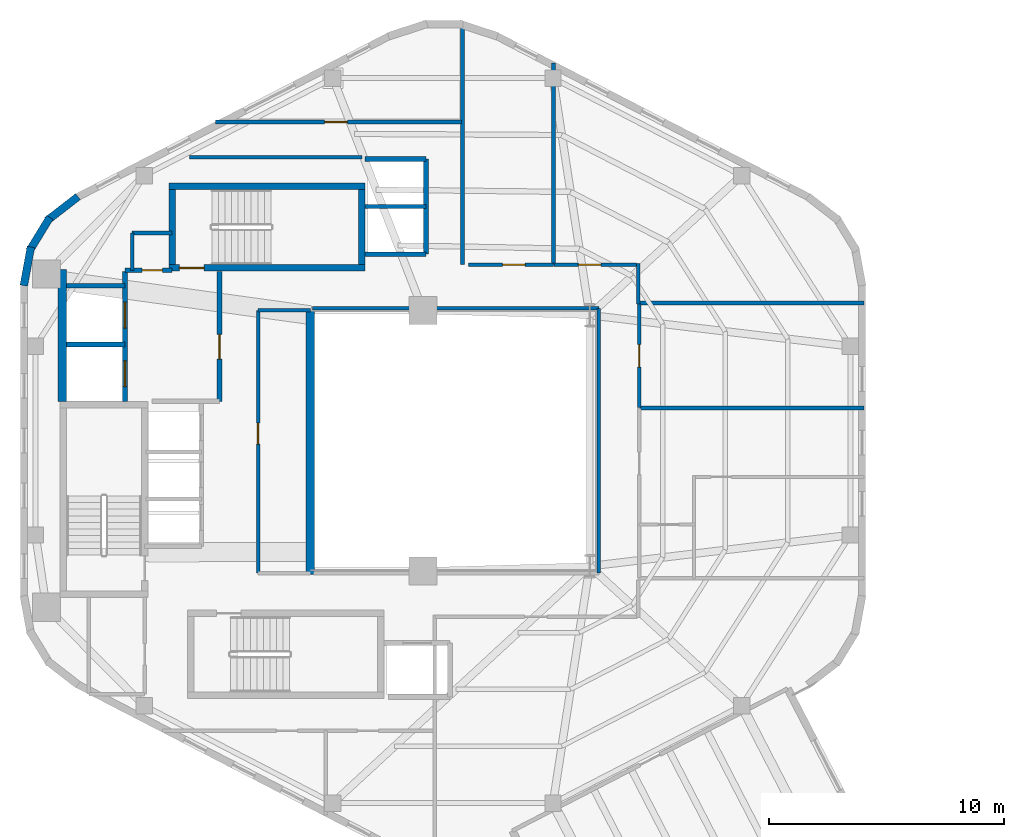
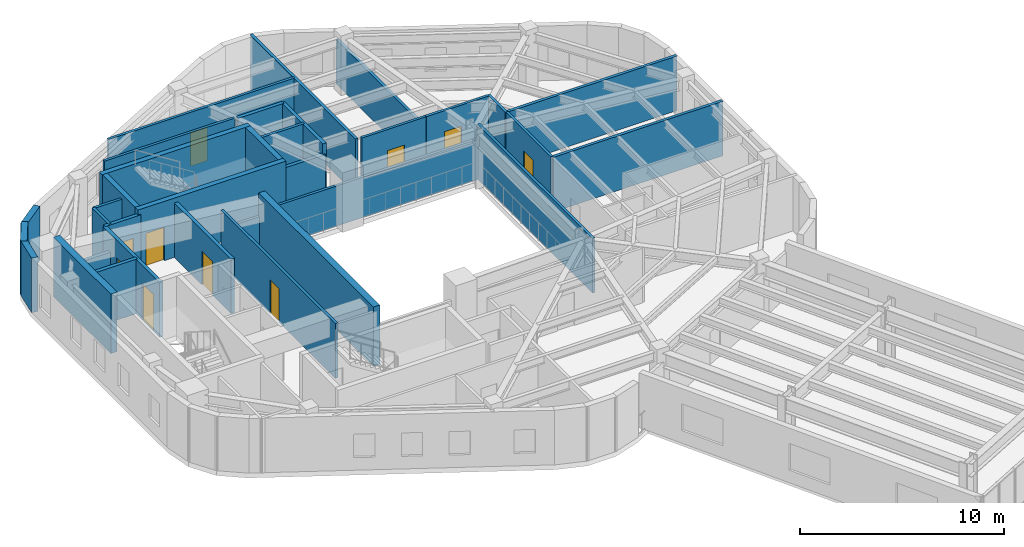
# One storey, part 8 of 10: 34 walls, 10 doors, 10 openings.
"""IFC4 building model written with IfcOpenShell, lengths in metres."""

import ifcopenshell
import ifcopenshell.guid

model = None  # the IFC model being written
_history = None  # IfcOwnerHistory: only IFC2X3 demands one
_inside = {}  # id of a spatial element -> (the spatial element, [elements in it])
_under = {}  # id of a project, library or spatial element -> (it, [spatial elements below it])
_declared = {}  # id of a project -> (the project, [libraries it declares])
_typed = {}  # id of a type object -> (the type object, [elements of that type])
_made_of = {}  # id of a material, layer set ... -> (it, [elements and type objects made of it])


def new_model(schema):
    """Start an empty IFC model of exactly this schema.

    Asked for "IFC4X3", IfcOpenShell would pick the latest addendum, in which some entities
    have other attributes; the version numbers below select the first issue.
    IFC2X3 requires an IfcOwnerHistory on every rooted entity: one is made here for all.
    """
    global model, _history
    if schema == "IFC4X3":
        model = ifcopenshell.file(schema_version=(4, 3, 0, 0))
    else:
        model = ifcopenshell.file(schema=schema)
    _inside.clear()
    _under.clear()
    _declared.clear()
    _typed.clear()
    _made_of.clear()
    _history = None
    if model.schema == "IFC2X3":
        org = make("IfcOrganization", Name="unknown")
        user = make(
            "IfcPersonAndOrganization",
            ThePerson=make("IfcPerson", FamilyName="unknown"),
            TheOrganization=org,
        )
        app = make(
            "IfcApplication",
            ApplicationDeveloper=org,
            Version="unknown",
            ApplicationFullName="unknown",
            ApplicationIdentifier="unknown",
        )
        _history = make(
            "IfcOwnerHistory",
            OwningUser=user,
            OwningApplication=app,
            ChangeAction="ADDED",
            CreationDate=0,
        )
    return model


def make(cls, **values):
    """One entity of the class cls with the attributes given. An attribute that is None is left unset."""
    return model.create_entity(
        cls, **{name: value for name, value in values.items() if value is not None}
    )


def rooted(cls, **values):
    """An entity with a GlobalId (a new one), such as an element, a storey or a relation."""
    return make(cls, GlobalId=ifcopenshell.guid.new(), OwnerHistory=_history, **values)


def si_unit(unit_type, name, prefix=None):
    """IfcSIUnit, for example si_unit("LENGTHUNIT", "METRE", prefix="MILLI")."""
    return make("IfcSIUnit", UnitType=unit_type, Prefix=prefix, Name=name)


def assignment(units):
    """IfcUnitAssignment: the units of a project."""
    return None if units is None else make("IfcUnitAssignment", Units=units)


def point(xyz):
    """IfcCartesianPoint."""
    return None if xyz is None else make("IfcCartesianPoint", Coordinates=xyz)


def direction(xyz):
    """IfcDirection."""
    return None if xyz is None else make("IfcDirection", DirectionRatios=xyz)


def frame(location, z_axis=None, x_axis=None):
    """IfcAxis2Placement3D, a coordinate frame: its origin and axes. An axis left out is left unset."""
    return make(
        "IfcAxis2Placement3D",
        Location=point(location),
        Axis=direction(z_axis),
        RefDirection=direction(x_axis),
    )


def frame_2d(location, x_axis=None):
    """IfcAxis2Placement2D, a coordinate frame in the plane: its origin and x axis."""
    return make(
        "IfcAxis2Placement2D", Location=point(location), RefDirection=direction(x_axis)
    )


def origin():
    """The frame at (0, 0, 0) with its axes left unset."""
    return frame((0.0, 0.0, 0.0))


def place(relative_to, where):
    """IfcLocalPlacement: puts the frame where relative to a parent placement (None: the world)."""
    return make(
        "IfcLocalPlacement", PlacementRelTo=relative_to, RelativePlacement=where
    )


def context(
    kind, dimensions, precision=None, world=None, true_north=None, identifier=None
):
    """IfcGeometricRepresentationContext, for example the 3D "Model" context."""
    return make(
        "IfcGeometricRepresentationContext",
        ContextIdentifier=identifier,
        ContextType=kind,
        CoordinateSpaceDimension=dimensions,
        Precision=precision,
        WorldCoordinateSystem=world,
        TrueNorth=true_north,
    )


def subcontext(parent, identifier, kind, view, scale=None):
    """IfcGeometricRepresentationSubContext, for example "Body" below "Model"."""
    return make(
        "IfcGeometricRepresentationSubContext",
        ContextIdentifier=identifier,
        ContextType=kind,
        ParentContext=parent,
        TargetScale=scale,
        TargetView=view,
    )


def project(units=None, contexts=None):
    """IfcProject with its units and contexts."""
    return rooted(
        "IfcProject",
        Name="project",
        RepresentationContexts=contexts,
        UnitsInContext=assignment(units),
    )


def spatial(cls, under=None, at=None, **own):
    """A site, building, storey or space (cls), placed at a placement, below another one or the project."""
    s = rooted(cls, ObjectPlacement=at, **own)
    if under is not None:
        _under.setdefault(under.id(), (under, []))[1].append(s)
    return s


def profile(cls, at=None, kind="AREA", **sizes):
    """A parametric profile (cls). Its sizes go by their IFC names, for example OverallWidth=200.0."""
    return make(cls, ProfileType=kind, Position=at, **sizes)


def rectangle(**sizes):
    """IfcRectangleProfileDef."""
    return profile("IfcRectangleProfileDef", **sizes)


def extrude(swept, where, along, depth):
    """IfcExtrudedAreaSolid: the profile swept, set in the frame where, extruded along a direction by depth."""
    return make(
        "IfcExtrudedAreaSolid",
        SweptArea=swept,
        Position=where,
        ExtrudedDirection=direction(along),
        Depth=depth,
    )


def shape(context_of_items, identifier, shape_type, items):
    """IfcShapeRepresentation: the items that make up one representation, for example the "Body"."""
    return make(
        "IfcShapeRepresentation",
        ContextOfItems=context_of_items,
        RepresentationIdentifier=identifier,
        RepresentationType=shape_type,
        Items=items,
    )


def material(Name=None, Category=None):
    """IfcMaterial."""
    return make("IfcMaterial", Name=Name, Category=Category)


def layer(
    of_material, thickness, ventilated=None, Name=None, Category=None, Priority=None
):
    """IfcMaterialLayer: one layer of a wall or slab, of a material (None: an air gap)."""
    return make(
        "IfcMaterialLayer",
        Material=of_material,
        LayerThickness=thickness,
        IsVentilated=ventilated,
        Name=Name,
        Category=Category,
        Priority=Priority,
    )


def layer_set(layers, Name=None):
    """IfcMaterialLayerSet."""
    return make("IfcMaterialLayerSet", MaterialLayers=layers, LayerSetName=Name)


def made_of(thing, what):
    """Note that an element or type object is made of a material, layer set ...; save() writes the relation."""
    if what is not None:
        _made_of.setdefault(what.id(), (what, []))[1].append(thing)
    return thing


def type_object(cls, material=None, **own):
    """A type object (cls), such as IfcWallType, which elements share."""
    return made_of(rooted(cls, **own), material)


def element(
    cls,
    number,
    at=None,
    inside=None,
    cuts=None,
    type_object=None,
    material=None,
    context=None,
    identifier="Body",
    shape_type=None,
    held_by="IfcProductDefinitionShape",
    body=None,
    shapes=None,
    **own,
):
    """One element of the class cls, such as IfcWall. Its Tag is "e" and its number.

    at: its placement. inside: the storey or other place that contains it. cuts: it is an
    opening in that element (IfcRelVoidsElement). A single representation is given by context,
    identifier, shape_type and body (its items); several are given by shapes. held_by: the class
    of the entity that holds the representations. save() writes the other relations.
    """
    e = rooted(cls, Tag="e%d" % number, ObjectPlacement=at, **own)
    if body is not None:
        shapes = [shape(context, identifier, shape_type, body)]
    if shapes is not None:
        e.Representation = make(held_by, Representations=shapes)
    if inside is not None:
        _inside.setdefault(inside.id(), (inside, []))[1].append(e)
    if cuts is not None:
        rooted(
            "IfcRelVoidsElement", RelatingBuildingElement=cuts, RelatedOpeningElement=e
        )
    if type_object is not None:
        _typed.setdefault(type_object.id(), (type_object, []))[1].append(e)
    return made_of(e, material)


def fill(opening, filler):
    """IfcRelFillsElement: the door or window that sits in an opening."""
    return rooted(
        "IfcRelFillsElement",
        RelatingOpeningElement=opening,
        RelatedBuildingElement=filler,
    )


def aggregate(whole, parts):
    """IfcRelAggregates: a whole, such as a stair, and the parts it consists of."""
    return rooted("IfcRelAggregates", RelatingObject=whole, RelatedObjects=parts)


def save(model, path):
    """Write the relations noted so far, then the file.

    IfcRelAggregates (storeys below a building ...), IfcRelContainedInSpatialStructure (elements
    in a storey), IfcRelDefinesByType, IfcRelAssociatesMaterial and IfcRelDeclares: one each for
    every whole, place, type object, material and project.
    """
    for whole, parts in _under.values():
        aggregate(whole, parts)
    for where, things in _inside.values():
        rooted(
            "IfcRelContainedInSpatialStructure",
            RelatedElements=things,
            RelatingStructure=where,
        )
    for kind, things in _typed.values():
        rooted("IfcRelDefinesByType", RelatedObjects=things, RelatingType=kind)
    for what, things in _made_of.values():
        rooted("IfcRelAssociatesMaterial", RelatedObjects=things, RelatingMaterial=what)
    for by, libraries in _declared.values():
        rooted("IfcRelDeclares", RelatingContext=by, RelatedDefinitions=libraries)
    model.write(path)


model = new_model("IFC4")

# Units and contexts
model_context = context("Model", 3, precision=1e-05, world=origin(), true_north=direction((0.0, 1.0)))
body_context = subcontext(model_context, "Body", "Model", "MODEL_VIEW")
ifc_project = project(units=[si_unit("LENGTHUNIT", "METRE"), si_unit("AREAUNIT", "SQUARE_METRE"), si_unit("VOLUMEUNIT", "CUBIC_METRE"), si_unit("PLANEANGLEUNIT", "RADIAN"), si_unit("MASSUNIT", "GRAM", prefix="KILO"), si_unit("THERMODYNAMICTEMPERATUREUNIT", "KELVIN"), si_unit("POWERUNIT", "WATT")], contexts=[model_context])

# Site, building, storey
site_placement = place(None, origin())
site = spatial("IfcSite", under=ifc_project, at=site_placement, CompositionType="ELEMENT")
building_placement = place(site_placement, origin())
building = spatial("IfcBuilding", under=site, at=building_placement, Name="Skarre Station Tower", CompositionType="ELEMENT")
storey_placement = place(building_placement, frame((0.0, 0.0, 234.800048828125)))
storey = spatial("IfcBuildingStorey", under=building, at=storey_placement, Name="L64", CompositionType="ELEMENT", Elevation=234.800048828125)

# Wall, opening, door
ifc_material_1 = material(Name="Acoustic Steel-Stud Gypsum Partition", Category="steel")
ifc_layer_1 = layer(ifc_material_1, 0.14990234375, Name="Acoustic Steel-Stud Gypsum Partition")
ifc_layer_set_1 = layer_set([ifc_layer_1], Name="Acoustic Steel-Stud Gypsum Partition")
wall_type_1 = type_object("IfcWallType", Name="Fire-Rated Corridor Acoustic Partition 150", PredefinedType="PARTITIONING", material=ifc_layer_set_1)
wall_1_placement = place(storey_placement, frame((25.320068359375, 29.550048828125, 0.0), z_axis=(0.0, 0.0, 1.0), x_axis=(0.0, -1.0, 0.0)))
wall_1 = element("IfcWall", 1, at=wall_1_placement, inside=storey, type_object=wall_type_1, Name="L64 Interior Partition WL-PT-L64-RC2-W1", PredefinedType="PARTITIONING", context=body_context, shape_type="SweptSolid", body=[
    extrude(rectangle(XDim=11.18994140625, YDim=0.14990234375, at=frame_2d((5.594970703125, 0.0))), origin(), (0.0, 0.0, 1.0), 3.260009765625),
])
opening_1_placement = place(wall_1_placement, frame((4.800048828125, 0.0, 0.0)))
opening_1 = element("IfcOpeningElement", 2, at=opening_1_placement, cuts=wall_1, Name="Opening DR-SVC90", PredefinedType="OPENING", context=body_context, shape_type="SweptSolid", body=[
    extrude(rectangle(XDim=0.89990234375, YDim=2.0, at=frame_2d((0.449951171875, 1.0))), frame((0.0, 0.0849609375, 0.0), z_axis=(0.0, -1.0, 0.0), x_axis=(1.0, 0.0, 0.0)), (0.0, 0.0, 1.0), 0.169921875),
])
ifc_material_2 = material(Name="Powder-Coated Hollow-Metal Acoustic Fire Leaf", Category="steel")
door_type_1 = type_object("IfcDoorType", Name="Service & Riser Fire Door FD60 900x2100", OperationType="SINGLE_SWING_LEFT", PredefinedType="DOOR", material=ifc_material_2)
door_1_placement = place(opening_1_placement, origin())
door_1 = element("IfcDoor", 3, at=door_1_placement, inside=storey, type_object=door_type_1, Name="L64 Wine Pantry Door", OperationType="SINGLE_SWING_LEFT", OverallHeight=2.0, OverallWidth=0.89990234375, PredefinedType="DOOR", context=body_context, shape_type="SweptSolid", body=[
    extrude(rectangle(XDim=0.89990234375, YDim=2.0, at=frame_2d((0.449951171875, 1.0))), frame((0.0, 0.02490234375, 0.0), z_axis=(0.0, -1.0, 0.0), x_axis=(1.0, 0.0, 0.0)), (0.0, 0.0, 1.0), 0.050048828125),
])
fill(opening_1, door_1)

# Walls
wall_2_placement = place(storey_placement, frame((27.550048828125, 29.550048828125, 0.0), z_axis=(0.0, 0.0, 1.0), x_axis=(-1.0, 0.0, 0.0)))
element("IfcWall", 4, at=wall_2_placement, inside=storey, type_object=wall_type_1, Name="L64 Interior Partition WL-PT-L64-RC2-N", PredefinedType="PARTITIONING", context=body_context, shape_type="SweptSolid", body=[
    extrude(rectangle(XDim=2.22998046875, YDim=0.14990234375, at=frame_2d((1.114990234375, 0.0))), origin(), (0.0, 0.0, 1.0), 2.159912109375),
])
wall_3_placement = place(storey_placement, frame((19.949951171875, 32.85009765625, 0.0), z_axis=(0.0, 0.0, 1.0), x_axis=(0.0, -1.0, 0.0)))
element("IfcWall", 5, at=wall_3_placement, inside=storey, type_object=wall_type_1, Name="L64 Interior Partition WL-PT-L64-CNW-W", PredefinedType="PARTITIONING", context=body_context, shape_type="SweptSolid", body=[
    extrude(rectangle(XDim=1.590087890625, YDim=0.14990234375, at=frame_2d((0.794921875, 0.0))), origin(), (0.0, 0.0, 1.0), 3.260009765625),
])
wall_4_placement = place(storey_placement, frame((21.659912109375, 32.85009765625, 0.0), z_axis=(0.0, 0.0, 1.0), x_axis=(-1.0, 0.0, 0.0)))
element("IfcWall", 6, at=wall_4_placement, inside=storey, type_object=wall_type_1, Name="L64 Interior Partition WL-PT-L64-CNW-N1", PredefinedType="PARTITIONING", context=body_context, shape_type="SweptSolid", body=[
    extrude(rectangle(XDim=1.7099609375, YDim=0.14990234375, at=frame_2d((0.85498046875, 0.0))), origin(), (0.0, 0.0, 1.0), 3.260009765625),
])
wall_5_placement = place(storey_placement, frame((39.840087890625, 29.639892578125, 0.0), z_axis=(0.0, 0.0, 1.0), x_axis=(-1.0, 0.0, 0.0)))
element("IfcWall", 7, at=wall_5_placement, inside=storey, type_object=wall_type_1, Name="L64 Interior Partition WL-PT-L64-ATRW-N", PredefinedType="PARTITIONING", context=body_context, shape_type="SweptSolid", body=[
    extrude(rectangle(XDim=12.203125, YDim=0.14990234375, at=frame_2d((6.1015625, 0.0))), origin(), (0.0, 0.0, 1.0), 2.40087890625),
])
wall_6_placement = place(storey_placement, frame((39.840087890625, 18.360107421875, 0.0), z_axis=(0.0, 0.0, 1.0), x_axis=(0.0, 1.0, 0.0)))
element("IfcWall", 8, at=wall_6_placement, inside=storey, type_object=wall_type_1, Name="L64 Interior Partition WL-PT-L64-ATRW-E", PredefinedType="PARTITIONING", context=body_context, shape_type="SweptSolid", body=[
    extrude(rectangle(XDim=11.27978515625, YDim=0.14990234375, at=frame_2d((5.639892578125, 0.0))), origin(), (0.0, 0.0, 1.0), 3.260009765625),
])

# Wall, opening, door
wall_7_placement = place(storey_placement, frame((34.0, 37.580078125, 0.0), z_axis=(0.0, 0.0, 1.0), x_axis=(-1.0, 0.0, 0.0)))
wall_7 = element("IfcWall", 9, at=wall_7_placement, inside=storey, type_object=wall_type_1, Name="L64 Interior Partition WL-PT-L64-NWW1-CW", PredefinedType="PARTITIONING", context=body_context, shape_type="SweptSolid", body=[
    extrude(rectangle(XDim=10.5009765625, YDim=0.14990234375, at=frame_2d((5.25048828125, 0.0))), origin(), (0.0, 0.0, 1.0), 3.260009765625),
])
opening_2_placement = place(wall_7_placement, frame((4.87890625, 0.0, 0.0)))
opening_2 = element("IfcOpeningElement", 10, at=opening_2_placement, cuts=wall_7, Name="Opening DR-FD60", PredefinedType="OPENING", context=body_context, shape_type="SweptSolid", body=[
    extrude(rectangle(XDim=0.9599609375, YDim=2.0, at=frame_2d((0.47998046875, 1.0))), frame((0.0, 0.0849609375, 0.0), z_axis=(0.0, -1.0, 0.0), x_axis=(1.0, 0.0, 0.0)), (0.0, 0.0, 1.0), 0.169921875),
])
ifc_material_3 = material(Name="Nordic White-Oak Veneer Solid-Core Fire Leaf", Category="wood")
door_type_2 = type_object("IfcDoorType", Name="Corridor Suite Entry Fire Door FD60 960x2150", OperationType="SINGLE_SWING_LEFT", PredefinedType="DOOR", material=ifc_material_3)
door_2_placement = place(opening_2_placement, origin())
door_2 = element("IfcDoor", 11, at=door_2_placement, inside=storey, type_object=door_type_2, Name="L64 NWW1 Entry Door", OperationType="SINGLE_SWING_LEFT", OverallHeight=2.0, OverallWidth=0.9599609375, PredefinedType="DOOR", context=body_context, shape_type="SweptSolid", body=[
    extrude(rectangle(XDim=0.9599609375, YDim=2.0, at=frame_2d((0.47998046875, 1.0))), frame((0.0, 0.02490234375, 0.0), z_axis=(0.0, -1.0, 0.0), x_axis=(1.0, 0.0, 0.0)), (0.0, 0.0, 1.0), 0.050048828125),
])
fill(opening_2, door_2)

# Wall
wall_8_placement = place(storey_placement, frame((41.52001953125, 29.820068359375, 0.0), z_axis=(0.0, 0.0, 1.0), x_axis=(0.0, 1.0, 0.0)))
element("IfcWall", 12, at=wall_8_placement, inside=storey, type_object=wall_type_1, Name="L64 Interior Partition WL-PT-L64-CORR-NER", PredefinedType="PARTITIONING", context=body_context, shape_type="SweptSolid", body=[
    extrude(rectangle(XDim=1.719970703125, YDim=0.14990234375, at=frame_2d((0.85986328125, 0.0))), origin(), (0.0, 0.0, 1.0), 3.260009765625),
])

# Wall, opening, door
wall_9_placement = place(storey_placement, frame((37.912109375, 31.5, 0.0), z_axis=(0.0, 0.0, 1.0), x_axis=(-1.0, 0.0, 0.0)))
wall_9 = element("IfcWall", 13, at=wall_9_placement, inside=storey, type_object=wall_type_1, Name="L64 Interior Partition WL-PT-L64-NW1-CW", PredefinedType="PARTITIONING", context=body_context, shape_type="SweptSolid", body=[
    extrude(rectangle(XDim=3.6220703125, YDim=0.14990234375, at=frame_2d((1.81103515625, 0.0))), origin(), (0.0, 0.0, 1.0), 3.260009765625),
])
opening_3_placement = place(wall_9_placement, frame((1.2119140625, 0.0, 0.0)))
opening_3 = element("IfcOpeningElement", 14, at=opening_3_placement, cuts=wall_9, Name="Opening DR-FD60", PredefinedType="OPENING", context=body_context, shape_type="SweptSolid", body=[
    extrude(rectangle(XDim=0.9599609375, YDim=2.0, at=frame_2d((0.47998046875, 1.0))), frame((0.0, 0.0849609375, 0.0), z_axis=(0.0, -1.0, 0.0), x_axis=(1.0, 0.0, 0.0)), (0.0, 0.0, 1.0), 0.169921875),
])
door_3_placement = place(opening_3_placement, origin())
door_3 = element("IfcDoor", 15, at=door_3_placement, inside=storey, type_object=door_type_2, Name="L64 NW1 Entry Door", OperationType="SINGLE_SWING_LEFT", OverallHeight=2.0, OverallWidth=0.9599609375, PredefinedType="DOOR", context=body_context, shape_type="SweptSolid", body=[
    extrude(rectangle(XDim=0.9599609375, YDim=2.0, at=frame_2d((0.47998046875, 1.0))), frame((0.0, 0.02490234375, 0.0), z_axis=(0.0, -1.0, 0.0), x_axis=(1.0, 0.0, 0.0)), (0.0, 0.0, 1.0), 0.050048828125),
])
fill(opening_3, door_3)

wall_10_placement = place(storey_placement, frame((41.449951171875, 31.5, 0.0), z_axis=(0.0, 0.0, 1.0), x_axis=(-1.0, 0.0, 0.0)))
wall_10 = element("IfcWall", 16, at=wall_10_placement, inside=storey, type_object=wall_type_1, Name="L64 Interior Partition WL-PT-L64-NW2-CW", PredefinedType="PARTITIONING", context=body_context, shape_type="SweptSolid", body=[
    extrude(rectangle(XDim=3.52783203125, YDim=0.14990234375, at=frame_2d((1.763916015625, 0.0))), origin(), (0.0, 0.0, 1.0), 3.260009765625),
])
opening_4_placement = place(wall_10_placement, frame((1.52392578125, 0.0, 0.0)))
opening_4 = element("IfcOpeningElement", 17, at=opening_4_placement, cuts=wall_10, Name="Opening DR-FD60", PredefinedType="OPENING", context=body_context, shape_type="SweptSolid", body=[
    extrude(rectangle(XDim=0.9599609375, YDim=2.0, at=frame_2d((0.47998046875, 1.0))), frame((0.0, 0.0849609375, 0.0), z_axis=(0.0, -1.0, 0.0), x_axis=(1.0, 0.0, 0.0)), (0.0, 0.0, 1.0), 0.169921875),
])
door_4_placement = place(opening_4_placement, origin())
door_4 = element("IfcDoor", 18, at=door_4_placement, inside=storey, type_object=door_type_2, Name="L64 NW2 Entry Door", OperationType="SINGLE_SWING_LEFT", OverallHeight=2.0, OverallWidth=0.9599609375, PredefinedType="DOOR", context=body_context, shape_type="SweptSolid", body=[
    extrude(rectangle(XDim=0.9599609375, YDim=2.0, at=frame_2d((0.47998046875, 1.0))), frame((0.0, 0.02490234375, 0.0), z_axis=(0.0, -1.0, 0.0), x_axis=(1.0, 0.0, 0.0)), (0.0, 0.0, 1.0), 0.050048828125),
])
fill(opening_4, door_4)

wall_11_placement = place(storey_placement, frame((41.56005859375, 25.4150390625, 0.0), z_axis=(0.0, 0.0, 1.0), x_axis=(0.0, 1.0, 0.0)))
wall_11 = element("IfcWall", 19, at=wall_11_placement, inside=storey, type_object=wall_type_1, Name="L64 Interior Partition WL-PT-L64-EW2-CW", PredefinedType="PARTITIONING", context=body_context, shape_type="SweptSolid", body=[
    extrude(rectangle(XDim=4.405029296875, YDim=0.14990234375, at=frame_2d((2.20263671875, 0.0))), origin(), (0.0, 0.0, 1.0), 3.260009765625),
])
opening_5_placement = place(wall_11_placement, frame((1.722900390625, 0.0, 0.0)))
opening_5 = element("IfcOpeningElement", 20, at=opening_5_placement, cuts=wall_11, Name="Opening DR-FD60", PredefinedType="OPENING", context=body_context, shape_type="SweptSolid", body=[
    extrude(rectangle(XDim=0.9599609375, YDim=2.0, at=frame_2d((0.47998046875, 1.0))), frame((0.0, 0.0849609375, 0.0), z_axis=(0.0, -1.0, 0.0), x_axis=(1.0, 0.0, 0.0)), (0.0, 0.0, 1.0), 0.169921875),
])
door_5_placement = place(opening_5_placement, origin())
door_5 = element("IfcDoor", 21, at=door_5_placement, inside=storey, type_object=door_type_2, Name="L64 EW2 Entry Door", OperationType="SINGLE_SWING_LEFT", OverallHeight=2.0, OverallWidth=0.9599609375, PredefinedType="DOOR", context=body_context, shape_type="SweptSolid", body=[
    extrude(rectangle(XDim=0.9599609375, YDim=2.0, at=frame_2d((0.47998046875, 1.0))), frame((0.0, 0.02490234375, 0.0), z_axis=(0.0, -1.0, 0.0), x_axis=(1.0, 0.0, 0.0)), (0.0, 0.0, 1.0), 0.050048828125),
])
fill(opening_5, door_5)

# Walls
wall_12_placement = place(storey_placement, frame((29.7529296875, 36.080078125, 0.0), z_axis=(0.0, 0.0, 1.0), x_axis=(-1.0, 0.0, 0.0)))
element("IfcWall", 22, at=wall_12_placement, inside=storey, type_object=wall_type_1, Name="L64 Interior Partition WL-PT-L64-CSEAL-1", PredefinedType="PARTITIONING", context=body_context, shape_type="SweptSolid", body=[
    extrude(rectangle(XDim=7.35302734375, YDim=0.14990234375, at=frame_2d((3.676513671875, 0.0))), origin(), (0.0, 0.0, 1.0), 3.260009765625),
])
ifc_material_4 = material(Name="Precast concrete C45/55", Category="concrete")
ifc_layer_2 = layer(ifc_material_4, 0.330078125, Name="Precast concrete C45/55")
ifc_layer_set_2 = layer_set([ifc_layer_2], Name="Precast concrete C45/55")
wall_type_2 = type_object("IfcWallType", Name="Nordic Rounded Corner Precast Wall 330", PredefinedType="STANDARD", material=ifc_layer_set_2)
wall_13_placement = place(storey_placement, frame((15.337890625, 30.60791015625, 0.0), z_axis=(0.0, 0.0, 1.0), x_axis=(0.180832605401, 0.983513888475, 0.0)))
element("IfcWall", 23, at=wall_13_placement, inside=storey, type_object=wall_type_2, Name="L64 Rounded Corner Precast Wall F2-1", PredefinedType="STANDARD", context=body_context, shape_type="SweptSolid", body=[
    extrude(rectangle(XDim=1.6767578125, YDim=0.330078125, at=frame_2d((0.83837890625, 0.0))), origin(), (0.0, 0.0, 1.0), 3.260009765625),
])
wall_14_placement = place(storey_placement, frame((15.573974609375, 32.08203125, 0.0), z_axis=(0.0, 0.0, 1.0), x_axis=(0.520325409202, 0.853968072318, 0.0)))
element("IfcWall", 24, at=wall_14_placement, inside=storey, type_object=wall_type_2, Name="L64 Rounded Corner Precast Wall F2-2", PredefinedType="STANDARD", context=body_context, shape_type="SweptSolid", body=[
    extrude(rectangle(XDim=1.677978515625, YDim=0.330078125, at=frame_2d((0.8388671875, 0.0))), origin(), (0.0, 0.0, 1.0), 3.260009765625),
])
wall_15_placement = place(storey_placement, frame((16.322021484375, 33.375, 0.0), z_axis=(0.0, 0.0, 1.0), x_axis=(0.790691856293, 0.61221433207, 0.0)))
element("IfcWall", 25, at=wall_15_placement, inside=storey, type_object=wall_type_2, Name="L64 Rounded Corner Precast Wall F2-3", PredefinedType="STANDARD", context=body_context, shape_type="SweptSolid", body=[
    extrude(rectangle(XDim=1.67578125, YDim=0.330078125, at=frame_2d((0.837890625, 0.0))), origin(), (0.0, 0.0, 1.0), 3.260009765625),
])

# Wall, opening, door
ifc_material_5 = material(Name="Concrete C50/60", Category="concrete")
ifc_layer_3 = layer(ifc_material_5, 0.280029296875, Name="Concrete C50/60")
ifc_layer_set_3 = layer_set([ifc_layer_3], Name="Concrete C50/60")
wall_type_3 = type_object("IfcWallType", Name="RC Core Shear Wall 280", PredefinedType="SHEAR", material=ifc_layer_set_3)
wall_16_placement = place(storey_placement, frame((21.52001953125, 31.360107421875, 0.0), z_axis=(0.0, 0.0, 1.0), x_axis=(1.0, 0.0, 0.0)))
wall_16 = element("IfcWall", 26, at=wall_16_placement, inside=storey, type_object=wall_type_3, Name="L64 Stair ST-3 South Shear Wall", PredefinedType="SHEAR", context=body_context, shape_type="SweptSolid", body=[
    extrude(rectangle(XDim=8.35986328125, YDim=0.280029296875, at=frame_2d((4.179931640625, 0.0))), origin(), (0.0, 0.0, 1.0), 3.550048828125),
])
opening_6_placement = place(wall_16_placement, frame((0.449951171875, 0.0, 0.0)))
opening_6 = element("IfcOpeningElement", 27, at=opening_6_placement, cuts=wall_16, Name="Opening DR-FD90", PredefinedType="OPENING", context=body_context, shape_type="SweptSolid", body=[
    extrude(rectangle(XDim=1.050048828125, YDim=2.0, at=frame_2d((0.52490234375, 1.0))), frame((0.0, 0.14990234375, 0.0), z_axis=(0.0, -1.0, 0.0), x_axis=(1.0, 0.0, 0.0)), (0.0, 0.0, 1.0), 0.300048828125),
])
ifc_material_6 = material(Name="Fire-Rated Insulated Steel Frame & Timber Core Leaf", Category="steel")
door_type_3 = type_object("IfcDoorType", Name="Stair & FSAE Lobby Fire Door FD90 1050x2150", OperationType="SINGLE_SWING_RIGHT", PredefinedType="DOOR", material=ifc_material_6)
door_6_placement = place(opening_6_placement, origin())
door_6 = element("IfcDoor", 28, at=door_6_placement, inside=storey, type_object=door_type_3, Name="L64 Stair ST-3 & FSAE Lobby Direct Exit Door", OperationType="SINGLE_SWING_LEFT", OverallHeight=2.0, OverallWidth=1.050048828125, PredefinedType="DOOR", context=body_context, shape_type="SweptSolid", body=[
    extrude(rectangle(XDim=1.050048828125, YDim=2.0, at=frame_2d((0.52490234375, 1.0))), frame((0.0, 0.02490234375, 0.0), z_axis=(0.0, -1.0, 0.0), x_axis=(1.0, 0.0, 0.0)), (0.0, 0.0, 1.0), 0.050048828125),
])
fill(opening_6, door_6)

# Walls
wall_17_placement = place(storey_placement, frame((29.8798828125, 34.840087890625, 0.0), z_axis=(0.0, 0.0, 1.0), x_axis=(-1.0, 0.0, 0.0)))
element("IfcWall", 29, at=wall_17_placement, inside=storey, type_object=wall_type_3, Name="L64 Stair ST-3 North Shear Wall", PredefinedType="SHEAR", context=body_context, shape_type="SweptSolid", body=[
    extrude(rectangle(XDim=8.35986328125, YDim=0.280029296875, at=frame_2d((4.179931640625, 0.0))), origin(), (0.0, 0.0, 1.0), 3.550048828125),
])
for number, where, z_axis, x_axis, name in (
    (30, (21.659912109375, 34.699951171875, 0.0), (0.0, 0.0, 1.0), (0.0, -1.0, 0.0), "L64 Stair ST-3 West Shear Wall"),
    (31, (29.739990234375, 31.5, 0.0), (0.0, 0.0, 1.0), (0.0, 1.0, 0.0), "L64 Stair ST-3 East Shear Wall"),
):
    element("IfcWall", number, at=place(storey_placement, frame(where, z_axis=z_axis, x_axis=x_axis)), inside=storey, type_object=wall_type_3, Name=name, PredefinedType="SHEAR", context=body_context, shape_type="SweptSolid", body=[
        extrude(rectangle(XDim=3.199951171875, YDim=0.280029296875, at=frame_2d((1.60009765625, 0.0))), origin(), (0.0, 0.0, 1.0), 3.550048828125),
    ])
ifc_layer_4 = layer(ifc_material_5, 0.360107421875, Name="Concrete C50/60")
ifc_layer_set_4 = layer_set([ifc_layer_4], Name="Concrete C50/60")
wall_type_4 = type_object("IfcWallType", Name="RC Core Shear Wall 360", PredefinedType="SHEAR", material=ifc_layer_set_4)
wall_18_placement = place(storey_placement, frame((16.969970703125, 25.679931640625, 0.0), z_axis=(0.0, 0.0, 1.0), x_axis=(0.0, 1.0, 0.0)))
element("IfcWall", 32, at=wall_18_placement, inside=storey, type_object=wall_type_4, Name="L64 Core West-North Shear Wall", PredefinedType="SHEAR", context=body_context, shape_type="SweptSolid", body=[
    extrude(rectangle(XDim=5.6201171875, YDim=0.360107421875, at=frame_2d((2.81005859375, 0.0))), origin(), (0.0, 0.0, 1.0), 3.550048828125),
])
wall_19_placement = place(storey_placement, frame((27.550048828125, 29.550048828125, 0.0), z_axis=(0.0, 0.0, 1.0), x_axis=(0.0, -1.0, 0.0)))
element("IfcWall", 33, at=wall_19_placement, inside=storey, type_object=wall_type_4, Name="L64 Core East Atrium Shear Wall", PredefinedType="SHEAR", context=body_context, shape_type="SweptSolid", body=[
    extrude(rectangle(XDim=11.25, YDim=0.360107421875, at=frame_2d((5.625, 0.0))), origin(), (0.0, 0.0, 1.0), 3.550048828125),
])

# Wall, openings, doors
ifc_material_7 = material(Name="Gypsum Concrete Shaft Assembly C30/37", Category="concrete")
ifc_layer_5 = layer(ifc_material_7, 0.199951171875, Name="Gypsum Concrete Shaft Assembly C30/37")
ifc_layer_set_5 = layer_set([ifc_layer_5], Name="Gypsum Concrete Shaft Assembly C30/37")
wall_type_5 = type_object("IfcWallType", Name="Shaft & Core Fire Partition 200", PredefinedType="PARTITIONING", material=ifc_layer_set_5)
wall_20_placement = place(storey_placement, frame((19.64990234375, 25.679931640625, 0.0), z_axis=(0.0, 0.0, 1.0), x_axis=(0.0, 1.0, 0.0)))
wall_20 = element("IfcWall", 34, at=wall_20_placement, inside=storey, type_object=wall_type_5, Name="L64 Interior Partition WL-PT-L64-FSAE-W", PredefinedType="PARTITIONING", context=body_context, shape_type="SweptSolid", body=[
    extrude(rectangle(XDim=5.5400390625, YDim=0.199951171875, at=frame_2d((2.77001953125, 0.0))), origin(), (0.0, 0.0, 1.0), 3.260009765625),
])
opening_7_placement = place(wall_20_placement, frame((0.6201171875, 0.0, 0.0)))
opening_7 = element("IfcOpeningElement", 35, at=opening_7_placement, cuts=wall_20, Name="Opening LD-FF1", PredefinedType="OPENING", context=body_context, shape_type="SweptSolid", body=[
    extrude(rectangle(XDim=1.10009765625, YDim=2.199951171875, at=frame_2d((0.550048828125, 1.10009765625))), frame((0.0, 0.10986328125, 0.0), z_axis=(0.0, -1.0, 0.0), x_axis=(1.0, 0.0, 0.0)), (0.0, 0.0, 1.0), 0.219970703125),
])
opening_8_placement = place(wall_20_placement, frame((3.1201171875, 0.0, 0.0)))
opening_8 = element("IfcOpeningElement", 36, at=opening_8_placement, cuts=wall_20, Name="Opening LD-FF2", PredefinedType="OPENING", context=body_context, shape_type="SweptSolid", body=[
    extrude(rectangle(XDim=1.10009765625, YDim=2.199951171875, at=frame_2d((0.550048828125, 1.10009765625))), frame((0.0, 0.10986328125, 0.0), z_axis=(0.0, -1.0, 0.0), x_axis=(1.0, 0.0, 0.0)), (0.0, 0.0, 1.0), 0.219970703125),
])
ifc_material_8 = material(Name="Fire-Rated Stainless Steel Grade 316L Sliding Leaves", Category="steel")
door_type_4 = type_object("IfcDoorType", Name="Fire Service Access Elevator Sliding Landing Door 1100x2200", OperationType="SLIDING_TO_LEFT", PredefinedType="DOOR", material=ifc_material_8)
door_7_placement = place(opening_7_placement, origin())
door_7 = element("IfcDoor", 37, at=door_7_placement, inside=storey, type_object=door_type_4, Name="L64 Firefighting Lift LF-FF1 Landing Door", OperationType="SLIDING_TO_LEFT", OverallHeight=2.199951171875, OverallWidth=1.10009765625, PredefinedType="DOOR", context=body_context, shape_type="SweptSolid", body=[
    extrude(rectangle(XDim=1.10009765625, YDim=2.199951171875, at=frame_2d((0.550048828125, 1.10009765625))), frame((0.0, 0.02490234375, 0.0), z_axis=(0.0, -1.0, 0.0), x_axis=(1.0, 0.0, 0.0)), (0.0, 0.0, 1.0), 0.050048828125),
])
fill(opening_7, door_7)
door_8_placement = place(opening_8_placement, origin())
door_8 = element("IfcDoor", 38, at=door_8_placement, inside=storey, type_object=door_type_4, Name="L64 Firefighting Lift LF-FF2 Landing Door", OperationType="SLIDING_TO_LEFT", OverallHeight=2.199951171875, OverallWidth=1.10009765625, PredefinedType="DOOR", context=body_context, shape_type="SweptSolid", body=[
    extrude(rectangle(XDim=1.10009765625, YDim=2.199951171875, at=frame_2d((0.550048828125, 1.10009765625))), frame((0.0, 0.02490234375, 0.0), z_axis=(0.0, -1.0, 0.0), x_axis=(1.0, 0.0, 0.0)), (0.0, 0.0, 1.0), 0.050048828125),
])
fill(opening_8, door_8)

# Wall, opening, door
wall_21_placement = place(storey_placement, frame((23.679931640625, 25.679931640625, 0.0), z_axis=(0.0, 0.0, 1.0), x_axis=(0.0, 1.0, 0.0)))
wall_21 = element("IfcWall", 39, at=wall_21_placement, inside=storey, type_object=wall_type_5, Name="L64 Interior Partition WL-PT-L64-FSAE-E", PredefinedType="PARTITIONING", context=body_context, shape_type="SweptSolid", body=[
    extrude(rectangle(XDim=5.5400390625, YDim=0.199951171875, at=frame_2d((2.77001953125, 0.0))), origin(), (0.0, 0.0, 1.0), 3.260009765625),
])
opening_9_placement = place(wall_21_placement, frame((1.800048828125, 0.0, 0.0)))
opening_9 = element("IfcOpeningElement", 40, at=opening_9_placement, cuts=wall_21, Name="Opening DR-FD90", PredefinedType="OPENING", context=body_context, shape_type="SweptSolid", body=[
    extrude(rectangle(XDim=1.050048828125, YDim=2.0, at=frame_2d((0.52490234375, 1.0))), frame((0.0, 0.10986328125, 0.0), z_axis=(0.0, -1.0, 0.0), x_axis=(1.0, 0.0, 0.0)), (0.0, 0.0, 1.0), 0.219970703125),
])
door_9_placement = place(opening_9_placement, origin())
door_9 = element("IfcDoor", 41, at=door_9_placement, inside=storey, type_object=door_type_3, Name="L64 FSAE Lobby Fire Door", OperationType="SINGLE_SWING_RIGHT", OverallHeight=2.0, OverallWidth=1.050048828125, PredefinedType="DOOR", context=body_context, shape_type="SweptSolid", body=[
    extrude(rectangle(XDim=1.050048828125, YDim=2.0, at=frame_2d((0.52490234375, 1.0))), frame((0.0, 0.02490234375, 0.0), z_axis=(0.0, -1.0, 0.0), x_axis=(1.0, 0.0, 0.0)), (0.0, 0.0, 1.0), 0.050048828125),
])
fill(opening_9, door_9)

wall_22_placement = place(storey_placement, frame((21.659912109375, 31.260009765625, 0.0), z_axis=(0.0, 0.0, 1.0), x_axis=(-1.0, 0.0, 0.0)))
wall_22 = element("IfcWall", 42, at=wall_22_placement, inside=storey, type_object=wall_type_5, Name="L64 Interior Partition WL-PT-L64-FSAE-N", PredefinedType="PARTITIONING", context=body_context, shape_type="SweptSolid", body=[
    extrude(rectangle(XDim=2.010009765625, YDim=0.199951171875, at=frame_2d((1.0048828125, 0.0))), origin(), (0.0, 0.0, 1.0), 3.260009765625),
])
opening_10_placement = place(wall_22_placement, frame((0.419921875, 0.0, 0.0)))
opening_10 = element("IfcOpeningElement", 43, at=opening_10_placement, cuts=wall_22, Name="Opening DR-SVC86", PredefinedType="OPENING", context=body_context, shape_type="SweptSolid", body=[
    extrude(rectangle(XDim=0.860107421875, YDim=2.0, at=frame_2d((0.43017578125, 1.0))), frame((0.0, 0.10986328125, 0.0), z_axis=(0.0, -1.0, 0.0), x_axis=(1.0, 0.0, 0.0)), (0.0, 0.0, 1.0), 0.219970703125),
])
door_type_5 = type_object("IfcDoorType", Name="Compact Riser Fire Door FD60 860x2100", OperationType="SINGLE_SWING_LEFT", PredefinedType="DOOR", material=ifc_material_2)
door_10_placement = place(opening_10_placement, origin())
door_10 = element("IfcDoor", 44, at=door_10_placement, inside=storey, type_object=door_type_5, Name="L64 Core Service Room Lobby Door", OperationType="SINGLE_SWING_LEFT", OverallHeight=2.0, OverallWidth=0.860107421875, PredefinedType="DOOR", context=body_context, shape_type="SweptSolid", body=[
    extrude(rectangle(XDim=0.860107421875, YDim=2.0, at=frame_2d((0.43017578125, 1.0))), frame((0.0, 0.02490234375, 0.0), z_axis=(0.0, -1.0, 0.0), x_axis=(1.0, 0.0, 0.0)), (0.0, 0.0, 1.0), 0.050048828125),
])
fill(opening_10, door_10)

# Walls
wall_23_placement = place(storey_placement, frame((17.14990234375, 28.10009765625, 0.0), z_axis=(0.0, 0.0, 1.0), x_axis=(1.0, 0.0, 0.0)))
element("IfcWall", 45, at=wall_23_placement, inside=storey, type_object=wall_type_5, Name="L64 Interior Partition WL-PT-L64-FF-DIV", PredefinedType="PARTITIONING", context=body_context, shape_type="SweptSolid", body=[
    extrude(rectangle(XDim=2.5, YDim=0.199951171875, at=frame_2d((1.25, 0.0))), origin(), (0.0, 0.0, 1.0), 3.260009765625),
])
wall_24_placement = place(storey_placement, frame((19.64990234375, 30.60009765625, 0.0), z_axis=(0.0, 0.0, 1.0), x_axis=(-1.0, 0.0, 0.0)))
element("IfcWall", 46, at=wall_24_placement, inside=storey, type_object=wall_type_5, Name="L64 Interior Partition WL-PT-L64-FF-N", PredefinedType="PARTITIONING", context=body_context, shape_type="SweptSolid", body=[
    extrude(rectangle(XDim=2.5, YDim=0.199951171875, at=frame_2d((1.25, 0.0))), origin(), (0.0, 0.0, 1.0), 2.159912109375),
])
wall_25_placement = place(storey_placement, frame((32.47998046875, 31.949951171875, 0.0), z_axis=(0.0, 0.0, 1.0), x_axis=(0.0, 1.0, 0.0)))
element("IfcWall", 47, at=wall_25_placement, inside=storey, type_object=wall_type_5, Name="L64 Interior Partition WL-PT-L64-EX-E", PredefinedType="PARTITIONING", context=body_context, shape_type="SweptSolid", body=[
    extrude(rectangle(XDim=4.050048828125, YDim=0.199951171875, at=frame_2d((2.02490234375, 0.0))), origin(), (0.0, 0.0, 1.0), 3.260009765625),
])
wall_26_placement = place(storey_placement, frame((29.8798828125, 36.0, 0.0), z_axis=(0.0, 0.0, 1.0), x_axis=(1.0, 0.0, 0.0)))
element("IfcWall", 48, at=wall_26_placement, inside=storey, type_object=wall_type_5, Name="L64 Interior Partition WL-PT-L64-EX-N", PredefinedType="PARTITIONING", context=body_context, shape_type="SweptSolid", body=[
    extrude(rectangle(XDim=2.60009765625, YDim=0.199951171875, at=frame_2d((1.300048828125, 0.0))), origin(), (0.0, 0.0, 1.0), 3.260009765625),
])
wall_27_placement = place(storey_placement, frame((32.47998046875, 31.949951171875, 0.0), z_axis=(0.0, 0.0, 1.0), x_axis=(-1.0, 0.0, 0.0)))
element("IfcWall", 49, at=wall_27_placement, inside=storey, type_object=wall_type_5, Name="L64 Interior Partition WL-PT-L64-EX-S", PredefinedType="PARTITIONING", context=body_context, shape_type="SweptSolid", body=[
    extrude(rectangle(XDim=2.60009765625, YDim=0.199951171875, at=frame_2d((1.300048828125, 0.0))), origin(), (0.0, 0.0, 1.0), 2.65185546875),
])
wall_28_placement = place(storey_placement, frame((29.875, 33.97998046875, 0.0), z_axis=(0.0, 0.0, 1.0), x_axis=(1.0, 0.0, 0.0)))
element("IfcWall", 50, at=wall_28_placement, inside=storey, type_object=wall_type_5, Name="L64 Interior Partition WL-PT-L64-EX-DIV", PredefinedType="PARTITIONING", context=body_context, shape_type="SweptSolid", body=[
    extrude(rectangle(XDim=2.60498046875, YDim=0.159912109375, at=frame_2d((1.302490234375, 0.0))), origin(), (0.0, 0.0, 1.0), 3.260009765625),
])
ifc_layer_6 = layer(ifc_material_1, 0.1650390625, Name="Acoustic Steel-Stud Gypsum Partition")
ifc_layer_set_6 = layer_set([ifc_layer_6], Name="Acoustic Steel-Stud Gypsum Partition")
wall_type_6 = type_object("IfcWallType", Name="Suite Demising Acoustic Partition 165", PredefinedType="PARTITIONING", material=ifc_layer_set_6)
wall_29_placement = place(storey_placement, frame((34.0400390625, 31.5, 0.0), z_axis=(0.0, 0.0, 1.0), x_axis=(0.0, 1.0, 0.0)))
element("IfcWall", 51, at=wall_29_placement, inside=storey, type_object=wall_type_6, Name="L64 Interior Partition WL-PT-L64-NW-WBND", PredefinedType="PARTITIONING", context=body_context, shape_type="SweptSolid", body=[
    extrude(rectangle(XDim=10.318115234375, YDim=0.1650390625, at=frame_2d((5.1591796875, 0.0))), origin(), (0.0, 0.0, 1.0), 3.260009765625),
])
wall_30_placement = place(storey_placement, frame((37.9169921875, 31.510009765625, 0.0), z_axis=(0.0, 0.0, 1.0), x_axis=(0.0, 1.0, 0.0)))
element("IfcWall", 52, at=wall_30_placement, inside=storey, type_object=wall_type_6, Name="L64 Interior Partition WL-PT-L64-NW-P1", PredefinedType="PARTITIONING", context=body_context, shape_type="SweptSolid", body=[
    extrude(rectangle(XDim=8.575927734375, YDim=0.1650390625, at=frame_2d((4.2880859375, 0.0))), origin(), (0.0, 0.0, 1.0), 2.64892578125),
])
wall_31_placement = place(storey_placement, frame((41.52001953125, 29.860107421875, 0.0), z_axis=(0.0, 0.0, 1.0), x_axis=(1.0, 0.0, 0.0)))
element("IfcWall", 53, at=wall_31_placement, inside=storey, type_object=wall_type_6, Name="L64 Interior Partition WL-PT-L64-EWB-N", PredefinedType="PARTITIONING", context=body_context, shape_type="SweptSolid", body=[
    extrude(rectangle(XDim=9.623046875, YDim=0.1650390625, at=frame_2d((4.8115234375, 0.0))), origin(), (0.0, 0.0, 1.0), 3.260009765625),
])
wall_32_placement = place(storey_placement, frame((41.590087890625, 25.39697265625, 0.0), z_axis=(0.0, 0.0, 1.0), x_axis=(1.0, 0.0, 0.0)))
element("IfcWall", 54, at=wall_32_placement, inside=storey, type_object=wall_type_6, Name="L64 Interior Partition WL-PT-L64-EW-P1", PredefinedType="PARTITIONING", context=body_context, shape_type="SweptSolid", body=[
    extrude(rectangle(XDim=9.552978515625, YDim=0.1650390625, at=frame_2d((4.7763671875, 0.0))), origin(), (0.0, 0.0, 1.0), 3.260009765625),
])

save(model, "model.ifc")
